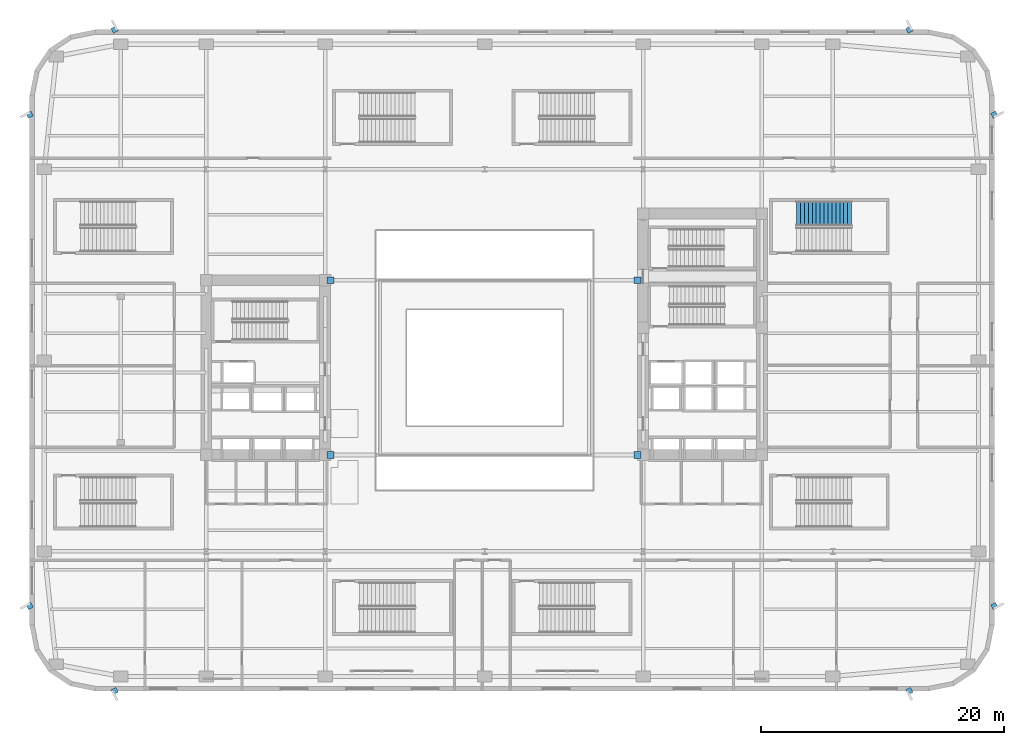
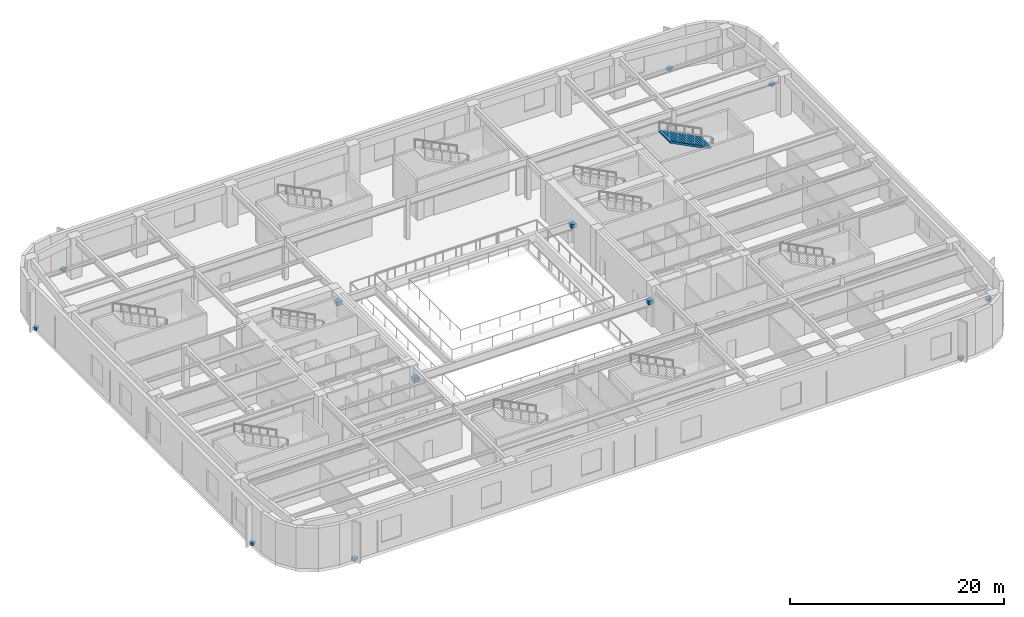
# One storey, part 12 of 22: 12 discrete accessories, 1 stair flight, 1 element without a shape of its own.
"""IFC4 building model written with IfcOpenShell, lengths in metres."""

from ifc_helpers import new_model, si_unit, direction, frame, origin, origin_2d, place, context, subcontext, project, spatial, polyline, rectangle, outline, extrude, material, type_object, element, aggregate, save


model = new_model("IFC4")

# Units and contexts
model_context = context("Model", 3, precision=1e-05, world=origin(), true_north=direction((0.0, 1.0)))
body_context = subcontext(model_context, "Body", "Model", "MODEL_VIEW")
ifc_project = project(units=[si_unit("LENGTHUNIT", "METRE"), si_unit("AREAUNIT", "SQUARE_METRE"), si_unit("VOLUMEUNIT", "CUBIC_METRE"), si_unit("PLANEANGLEUNIT", "RADIAN"), si_unit("MASSUNIT", "GRAM", prefix="KILO")], contexts=[model_context])

# Site, building, storey
site_placement = place(None, origin())
site = spatial("IfcSite", under=ifc_project, at=site_placement, CompositionType="ELEMENT")
building_placement = place(site_placement, origin())
building = spatial("IfcBuilding", under=site, at=building_placement, Name="Kolvaren Arena Tower", CompositionType="ELEMENT")
storey_placement = place(building_placement, frame((0.0, 0.0, 13.0)))
storey = spatial("IfcBuildingStorey", under=building, at=storey_placement, Name="L02", CompositionType="ELEMENT", Elevation=13.0)

# Stair, stair flight
ifc_material_1 = material(Name="Concrete 45 MPa", Category="concrete")
stair_type = type_object("IfcStairType", Name="STAIR-ARENA-220", PredefinedType="HALF_TURN_STAIR", material=ifc_material_1)
stair_placement = place(storey_placement, origin())
stair = element("IfcStair", 1, at=stair_placement, inside=storey, type_object=stair_type, Name="L02 ST-A8", PredefinedType="HALF_TURN_STAIR")
stair_flight_type = type_object("IfcStairFlightType", Name="FLT-220", PredefinedType="STRAIGHT", material=ifc_material_1)
stair_flight_placement = place(storey_placement, frame((67.736083984375, 39.35009765625, 2.5), z_axis=(0.0, 0.0, 1.0), x_axis=(-1.0, 0.0, 0.0)))
stair_flight = element("IfcStairFlight", 2, at=stair_flight_placement, type_object=stair_flight_type, Name="ST-A8 flight 2", NumberOfRisers=15, NumberOfTreads=14, PredefinedType="STRAIGHT", RiserHeight=0.166666667, TreadLength=0.324, context=body_context, shape_type="SweptSolid", body=[
    extrude(outline(polyline([(0.0, 0.0), (0.0, 0.166748046875), (0.323974609375, 0.166748046875), (0.323974609375, 0.333251953125), (0.64794921875, 0.333251953125), (0.64794921875, 0.5), (0.971923828125, 0.5), (0.971923828125, 0.666748046875), (1.2958984375, 0.666748046875), (1.2958984375, 0.833251953125), (1.6201171875, 0.833251953125), (1.6201171875, 1.0), (1.944091796875, 1.0), (1.944091796875, 1.166748046875), (2.26806640625, 1.166748046875), (2.26806640625, 1.333251953125), (2.592041015625, 1.333251953125), (2.592041015625, 1.5), (2.916015625, 1.5), (2.916015625, 1.666748046875), (3.239990234375, 1.666748046875), (3.239990234375, 1.833251953125), (3.56396484375, 1.833251953125), (3.56396484375, 2.0), (3.887939453125, 2.0), (3.887939453125, 2.166748046875), (4.2119140625, 2.166748046875), (4.2119140625, 2.333251953125), (4.535888671875, 2.333251953125), (4.535888671875, 2.5), (4.535888671875, 2.164794921875), (0.32763671875, 0.0), (0.0, 0.0)])), frame((0.0, 1.0, 0.0), z_axis=(0.0, -1.0, 0.0), x_axis=(1.0, 0.0, 0.0)), (0.0, 0.0, 1.0), 2.0),
])
aggregate(stair, [stair_flight])

# Discrete accessories
ifc_material_2 = material(Name="Stainless steel facade support bracket", Category="steel")
discrete_accessory_type_1 = type_object("IfcDiscreteAccessoryType", Name="ACC-BRKT-1", PredefinedType="BRACKET", material=ifc_material_2)
for number, where, z_axis, x_axis, name in (
    (3, (79.5, 47.5, 0.02001953125), (0.0, 0.0, 1.0), (0.882947592859, 0.469471562786, 0.0), "Arena Fin Anchor Bracket (L02)"),
    (4, (79.5, 7.0, 0.02001953125), (0.0, 0.0, 1.0), (0.882947592859, 0.469471562786, 0.0), "Arena Fin Anchor Bracket (L02)"),
    (5, (7.0, 54.5, 0.02001953125), (0.0, 0.0, 1.0), (-0.469471562786, 0.882947592859, 0.0), "Arena Fin Anchor Bracket (L02)"),
    (6, (72.5, 54.5, 0.02001953125), (0.0, 0.0, 1.0), (-0.469471562786, 0.882947592859, 0.0), "Arena Fin Anchor Bracket (L02)"),
    (7, (0.0, 7.0, 0.02001953125), (0.0, 0.0, 1.0), (-0.882947592859, -0.469471562786, 0.0), "Arena Fin Anchor Bracket (L02)"),
    (8, (0.0, 47.5, 0.02001953125), (0.0, 0.0, 1.0), (-0.882947592859, -0.469471562786, 0.0), "Arena Fin Anchor Bracket (L02)"),
    (9, (72.5, 0.0, 0.02001953125), (0.0, 0.0, 1.0), (0.469471562786, -0.882947592859, 0.0), "Arena Fin Anchor Bracket (L02)"),
    (10, (7.0, 0.0, 0.02001953125), (0.0, 0.0, 1.0), (0.469471562786, -0.882947592859, 0.0), "Arena Fin Anchor Bracket (L02)"),
):
    element("IfcDiscreteAccessory", number, at=place(storey_placement, frame(where, z_axis=z_axis, x_axis=x_axis)), inside=storey, type_object=discrete_accessory_type_1, Name=name, PredefinedType="BRACKET", context=body_context, shape_type="SweptSolid", body=[
        extrude(rectangle(XDim=0.449951171875, YDim=0.449951171875, at=origin_2d()), origin(), (0.0, 0.0, 1.0), 0.300048828125),
    ])
ifc_material_3 = material(Name="Steel CSA G40.21 350W bolted gusset connection", Category="steel")
discrete_accessory_type_2 = type_object("IfcDiscreteAccessoryType", Name="ACC-CONN-1", PredefinedType="BRACKET", material=ifc_material_3)
for number, where, z_axis, x_axis, name in (
    (11, (24.800048828125, 19.449951171875, 2.464111328125), (0.0, 0.0, 1.0), (1.0, 0.0, 0.0), "Core Wall Cast-In Embed Plate EP1 (L02)"),
    (12, (50.10009765625, 19.449951171875, 2.464111328125), (0.0, 0.0, 1.0), (1.0, 0.0, 0.0), "Core Wall Cast-In Embed Plate EP1 (L02)"),
    (13, (24.800048828125, 33.85009765625, 2.464111328125), (0.0, 0.0, 1.0), (1.0, 0.0, 0.0), "Core Wall Cast-In Embed Plate EP1 (L02)"),
    (14, (50.10009765625, 33.85009765625, 2.464111328125), (0.0, 0.0, 1.0), (1.0, 0.0, 0.0), "Core Wall Cast-In Embed Plate EP1 (L02)"),
):
    element("IfcDiscreteAccessory", number, at=place(storey_placement, frame(where, z_axis=z_axis, x_axis=x_axis)), inside=storey, type_object=discrete_accessory_type_2, Name=name, PredefinedType="BRACKET", context=body_context, shape_type="SweptSolid", body=[
        extrude(rectangle(XDim=0.56005859375, YDim=0.56005859375, at=origin_2d()), origin(), (0.0, 0.0, 1.0), 0.43994140625),
    ])

save(model, "model.ifc")
